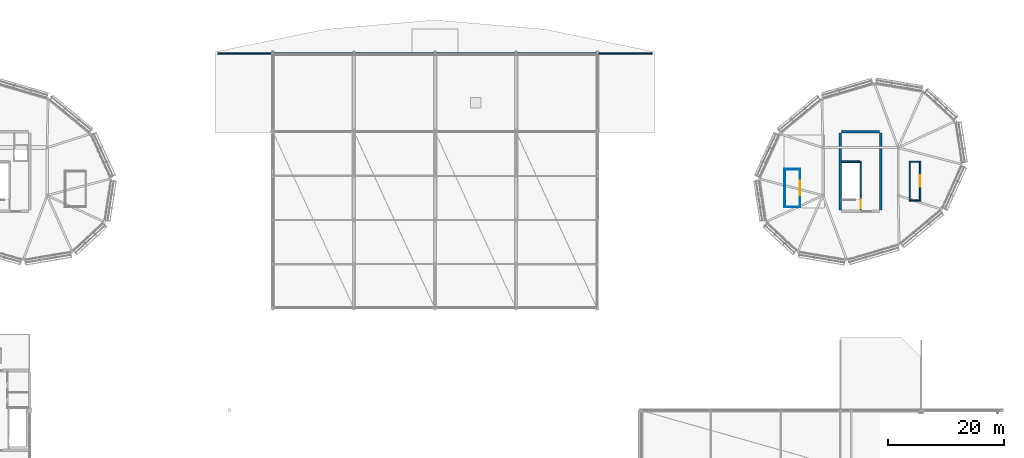
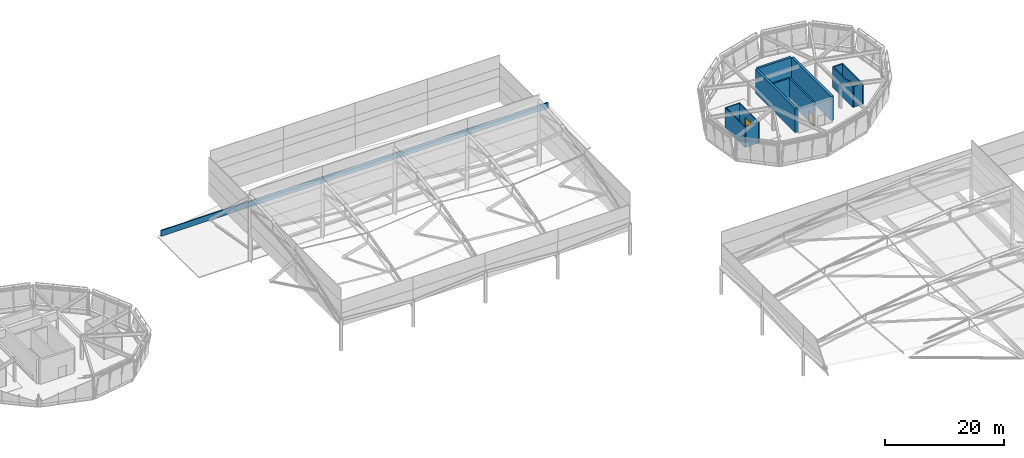
# One storey, part 105 of 113: 14 walls, 3 doors, 3 openings.
"""IFC4 building model written with IfcOpenShell, lengths in metres."""

from ifc_helpers import new_model, si_unit, direction, frame, frame_2d, origin, place, context, subcontext, project, spatial, rectangle, extrude, material, layer, layer_set, type_object, element, fill, save


model = new_model("IFC4")

# Units and contexts
model_context = context("Model", 3, precision=1e-05, world=origin(), true_north=direction((0.0, 1.0)))
body_context = subcontext(model_context, "Body", "Model", "MODEL_VIEW")
ifc_project = project(units=[si_unit("LENGTHUNIT", "METRE"), si_unit("AREAUNIT", "SQUARE_METRE"), si_unit("VOLUMEUNIT", "CUBIC_METRE"), si_unit("PLANEANGLEUNIT", "RADIAN"), si_unit("MASSUNIT", "GRAM", prefix="KILO")], contexts=[model_context])

# Site, building, storey
site_placement = place(None, origin())
site = spatial("IfcSite", under=ifc_project, at=site_placement, CompositionType="ELEMENT")
building_placement = place(site_placement, origin())
building = spatial("IfcBuilding", under=site, at=building_placement, Name="Linyun Crest Stadium", CompositionType="ELEMENT")
storey_placement = place(building_placement, frame((0.0, 0.0, 26.39990234375)))
storey = spatial("IfcBuildingStorey", under=building, at=storey_placement, Name="L06", CompositionType="ELEMENT", Elevation=26.39990234375)

# Walls
ifc_material_1 = material(Name="Concrete C50", Category="concrete")
ifc_layer_1 = layer(ifc_material_1, 0.449951171875)
ifc_layer_set_1 = layer_set([ifc_layer_1], Name="Concrete C50")
wall_type_1 = type_object("IfcWallType", Name="CW03", PredefinedType="SHEAR", material=ifc_layer_set_1)
for number, where, z_axis, x_axis, name in (
    (1, (70.0, 77.97509765625, 0.0), (0.0, 0.0, 1.0), (0.0, 1.0, 0.0), "Core shear wall CW03 CORE-PNE L06.1"),
    (2, (77.0, 77.97509765625, 0.0), (0.0, 0.0, 1.0), (0.0, 1.0, 0.0), "Core shear wall CW03 CORE-PNE L06.2"),
):
    element("IfcWall", number, at=place(storey_placement, frame(where, z_axis=z_axis, x_axis=x_axis)), inside=storey, type_object=wall_type_1, Name=name, PredefinedType="SHEAR", context=body_context, shape_type="SweptSolid", body=[
        extrude(rectangle(XDim=13.2998046875, YDim=0.449951171875, at=frame_2d((6.64990234375, 0.0))), origin(), (0.0, 0.0, 1.0), 4.945068359375),
    ])
wall_1_placement = place(storey_placement, frame((70.22509765625, 91.5, 0.0), z_axis=(0.0, 0.0, 1.0), x_axis=(1.0, 0.0, 0.0)))
element("IfcWall", 3, at=wall_1_placement, inside=storey, type_object=wall_type_1, Name="Core shear wall CW03 CORE-PNE L06.4", PredefinedType="SHEAR", context=body_context, shape_type="SweptSolid", body=[
    extrude(rectangle(XDim=6.5498046875, YDim=0.449951171875, at=frame_2d((3.27490234375, 0.0))), origin(), (0.0, 0.0, 1.0), 4.945068359375),
])
ifc_material_2 = material(Name="Precast concrete C40 coping panel", Category="concrete")
ifc_layer_2 = layer(ifc_material_2, 0.22509765625)
ifc_layer_set_2 = layer_set([ifc_layer_2], Name="Precast concrete C40 coping panel")
wall_type_2 = type_object("IfcWallType", Name="PW03", PredefinedType="PARAPET", material=ifc_layer_set_2)
wall_2_placement = place(storey_placement, frame((-37.5, 105.0, 0.0), z_axis=(0.0, 0.0, 1.0), x_axis=(1.0, 0.0, 0.0)))
element("IfcWall", 4, at=wall_2_placement, inside=storey, type_object=wall_type_2, Name="Parapet PW03 L06 76", PredefinedType="PARAPET", context=body_context, shape_type="SweptSolid", body=[
    extrude(rectangle(XDim=75.0, YDim=0.22509765625, at=frame_2d((37.5, 0.0))), origin(), (0.0, 0.0, 1.0), 1.2001953125),
])

# Wall, opening, door
ifc_material_3 = material(Name="Steel-stud gypsum corridor fire partition", Category="steel")
ifc_layer_3 = layer(ifc_material_3, 0.14990234375)
ifc_layer_set_3 = layer_set([ifc_layer_3], Name="Steel-stud gypsum corridor fire partition")
wall_type_3 = type_object("IfcWallType", Name="PW14", PredefinedType="PARTITIONING", material=ifc_layer_set_3)
wall_3_placement = place(storey_placement, frame((63.049072265625, 85.06494140625, 0.0), z_axis=(0.0, 0.0, 1.0), x_axis=(0.0, -1.0, 0.0)))
wall_3 = element("IfcWall", 5, at=wall_3_placement, inside=storey, type_object=wall_type_3, Name="Partition PW14 L06 246", PredefinedType="PARTITIONING", context=body_context, shape_type="SweptSolid", body=[
    extrude(rectangle(XDim=6.6298828125, YDim=0.14990234375, at=frame_2d((3.31494140625, 0.0))), origin(), (0.0, 0.0, 1.0), 4.22021484375),
])
opening_1_placement = place(wall_3_placement, frame((2.06494140625, 0.0, 0.0)))
opening_1 = element("IfcOpeningElement", 6, at=opening_1_placement, cuts=wall_3, Name="Opening D-L06-509", PredefinedType="OPENING", context=body_context, shape_type="SweptSolid", body=[
    extrude(rectangle(XDim=2.5, YDim=2.5, at=frame_2d((1.25, 1.25))), frame((0.0, 0.0849609375, 0.0), z_axis=(0.0, -1.0, 0.0), x_axis=(1.0, 0.0, 0.0)), (0.0, 0.0, 1.0), 0.169921875),
])
ifc_material_4 = material(Name="Verdigris framed glazed concourse door")
ifc_layer_4 = layer(ifc_material_4, 0.054931640625)
ifc_layer_set_4 = layer_set([ifc_layer_4], Name="Verdigris framed glazed concourse door")
door_type_1 = type_object("IfcDoorType", Name="ID16", OperationType="NOTDEFINED", PredefinedType="DOOR", material=ifc_layer_set_4)
door_1_placement = place(opening_1_placement, origin())
door_1 = element("IfcDoor", 7, at=door_1_placement, inside=storey, type_object=door_type_1, Name="Door D-L06-509", OperationType="DOUBLE_DOOR_SINGLE_SWING", OverallHeight=2.5, OverallWidth=2.5, PredefinedType="DOOR", context=body_context, shape_type="SweptSolid", body=[
    extrude(rectangle(XDim=2.5, YDim=2.5, at=frame_2d((1.25, 1.25))), frame((0.0, 0.02490234375, 0.0), z_axis=(0.0, -1.0, 0.0), x_axis=(1.0, 0.0, 0.0)), (0.0, 0.0, 1.0), 0.050048828125),
])
fill(opening_1, door_1)

# Walls
wall_4_placement = place(storey_placement, frame((60.408935546875, 78.43505859375, 0.0), z_axis=(0.0, 0.0, 1.0), x_axis=(0.0, 1.0, 0.0)))
element("IfcWall", 8, at=wall_4_placement, inside=storey, type_object=wall_type_3, Name="Enclosure partition PW14 L06 454", PredefinedType="PARTITIONING", context=body_context, shape_type="SweptSolid", body=[
    extrude(rectangle(XDim=6.6298828125, YDim=0.14990234375, at=frame_2d((3.31494140625, 0.0))), origin(), (0.0, 0.0, 1.0), 4.22021484375),
])
for number, where, z_axis, x_axis, name in (
    (9, (60.48388671875, 78.510009765625, 0.0), (0.0, 0.0, 1.0), (1.0, 0.0, 0.0), "Enclosure partition PW14 L06 455"),
    (10, (60.48388671875, 84.989990234375, 0.0), (0.0, 0.0, 1.0), (1.0, 0.0, 0.0), "Enclosure partition PW14 L06 456"),
):
    element("IfcWall", number, at=place(storey_placement, frame(where, z_axis=z_axis, x_axis=x_axis)), inside=storey, type_object=wall_type_3, Name=name, PredefinedType="PARTITIONING", context=body_context, shape_type="SweptSolid", body=[
        extrude(rectangle(XDim=2.490234375, YDim=0.14990234375, at=frame_2d((1.2451171875, 0.0))), origin(), (0.0, 0.0, 1.0), 4.22021484375),
    ])

# Wall, opening, door
ifc_material_5 = material(Name="Acoustic broadcast studio double-leaf partition")
ifc_layer_5 = layer(ifc_material_5, 0.219970703125)
ifc_layer_set_5 = layer_set([ifc_layer_5], Name="Acoustic broadcast studio double-leaf partition")
wall_type_4 = type_object("IfcWallType", Name="PW16", PredefinedType="PARTITIONING", material=ifc_layer_set_5)
wall_5_placement = place(storey_placement, frame((83.7939453125, 86.428955078125, 0.0), z_axis=(0.0, 0.0, 1.0), x_axis=(0.0, -1.0, 0.0)))
wall_5 = element("IfcWall", 11, at=wall_5_placement, inside=storey, type_object=wall_type_4, Name="Partition PW16 L06 247", PredefinedType="PARTITIONING", context=body_context, shape_type="SweptSolid", body=[
    extrude(rectangle(XDim=6.919921875, YDim=0.219970703125, at=frame_2d((3.4599609375, 0.0))), origin(), (0.0, 0.0, 1.0), 4.22021484375),
])
opening_2_placement = place(wall_5_placement, frame((2.485107421875, 0.0, 0.0)))
opening_2 = element("IfcOpeningElement", 12, at=opening_2_placement, cuts=wall_5, Name="Opening D-L06-510", PredefinedType="OPENING", context=body_context, shape_type="SweptSolid", body=[
    extrude(rectangle(XDim=1.949951171875, YDim=2.35009765625, at=frame_2d((0.97509765625, 1.175048828125))), frame((0.0, 0.119873046875, 0.0), z_axis=(0.0, -1.0, 0.0), x_axis=(1.0, 0.0, 0.0)), (0.0, 0.0, 1.0), 0.239990234375),
])
ifc_material_6 = material(Name="Arched glazed cafe double door")
ifc_layer_6 = layer(ifc_material_6, 0.054931640625)
ifc_layer_set_6 = layer_set([ifc_layer_6], Name="Arched glazed cafe double door")
door_type_2 = type_object("IfcDoorType", Name="ID17", OperationType="NOTDEFINED", PredefinedType="DOOR", material=ifc_layer_set_6)
door_2_placement = place(opening_2_placement, origin())
door_2 = element("IfcDoor", 13, at=door_2_placement, inside=storey, type_object=door_type_2, Name="Door D-L06-510", OperationType="DOUBLE_DOOR_SINGLE_SWING", OverallHeight=2.35009765625, OverallWidth=1.949951171875, PredefinedType="DOOR", context=body_context, shape_type="SweptSolid", body=[
    extrude(rectangle(XDim=1.949951171875, YDim=2.35009765625, at=frame_2d((0.97509765625, 1.175048828125))), frame((0.0, 0.02490234375, 0.0), z_axis=(0.0, -1.0, 0.0), x_axis=(1.0, 0.0, 0.0)), (0.0, 0.0, 1.0), 0.050048828125),
])
fill(opening_2, door_2)

# Walls
wall_6_placement = place(storey_placement, frame((81.993896484375, 79.509033203125, 0.0), z_axis=(0.0, 0.0, 1.0), x_axis=(0.0, 1.0, 0.0)))
element("IfcWall", 14, at=wall_6_placement, inside=storey, type_object=wall_type_4, Name="Enclosure partition PW16 L06 457", PredefinedType="PARTITIONING", context=body_context, shape_type="SweptSolid", body=[
    extrude(rectangle(XDim=6.919921875, YDim=0.219970703125, at=frame_2d((3.4599609375, 0.0))), origin(), (0.0, 0.0, 1.0), 4.22021484375),
])
for number, where, z_axis, x_axis, name in (
    (15, (82.10400390625, 79.618896484375, 0.0), (0.0, 0.0, 1.0), (1.0, 0.0, 0.0), "Enclosure partition PW16 L06 458"),
    (16, (82.10400390625, 86.319091796875, 0.0), (0.0, 0.0, 1.0), (1.0, 0.0, 0.0), "Enclosure partition PW16 L06 459"),
):
    element("IfcWall", number, at=place(storey_placement, frame(where, z_axis=z_axis, x_axis=x_axis)), inside=storey, type_object=wall_type_4, Name=name, PredefinedType="PARTITIONING", context=body_context, shape_type="SweptSolid", body=[
        extrude(rectangle(XDim=1.580078125, YDim=0.219970703125, at=frame_2d((0.7900390625, 0.0))), origin(), (0.0, 0.0, 1.0), 4.22021484375),
    ])

# Wall, opening, door
ifc_material_7 = material(Name="Concrete C50", Category="concrete")
ifc_layer_7 = layer(ifc_material_7, 0.300048828125)
ifc_layer_set_7 = layer_set([ifc_layer_7], Name="Concrete C50")
wall_type_5 = type_object("IfcWallType", Name="SW01", PredefinedType="SHEAR", material=ifc_layer_set_7)
wall_7_placement = place(storey_placement, frame((73.550048828125, 77.97509765625, 0.0), z_axis=(0.0, 0.0, 1.0), x_axis=(0.0, 1.0, 0.0)))
wall_7 = element("IfcWall", 17, at=wall_7_placement, inside=storey, type_object=wall_type_5, Name="Core stair east bearing wall SW01 12 L06", PredefinedType="SHEAR", context=body_context, shape_type="SweptSolid", body=[
    extrude(rectangle(XDim=8.474853515625, YDim=0.300048828125, at=frame_2d((4.2373046875, 0.0))), origin(), (0.0, 0.0, 1.0), 4.945068359375),
])
opening_3_placement = place(wall_7_placement, frame((0.344970703125, 0.0, 0.0)))
opening_3 = element("IfcOpeningElement", 18, at=opening_3_placement, cuts=wall_7, Name="Opening D-L06-400", PredefinedType="OPENING", context=body_context, shape_type="SweptSolid", body=[
    extrude(rectangle(XDim=1.449951171875, YDim=2.199951171875, at=frame_2d((0.72509765625, 1.10009765625))), frame((0.0, 0.159912109375, 0.0), z_axis=(0.0, -1.0, 0.0), x_axis=(1.0, 0.0, 0.0)), (0.0, 0.0, 1.0), 0.320068359375),
])
ifc_material_8 = material(Name="Galvanized steel Class A fire door", Category="steel")
ifc_layer_8 = layer(ifc_material_8, 0.054931640625)
ifc_layer_set_8 = layer_set([ifc_layer_8], Name="Galvanized steel Class A fire door")
door_type_3 = type_object("IfcDoorType", Name="FD02", OperationType="NOTDEFINED", PredefinedType="DOOR", material=ifc_layer_set_8)
door_3_placement = place(opening_3_placement, origin())
door_3 = element("IfcDoor", 19, at=door_3_placement, inside=storey, type_object=door_type_3, Name="Door D-L06-400", OperationType="SINGLE_SWING_RIGHT", OverallHeight=2.199951171875, OverallWidth=1.449951171875, PredefinedType="DOOR", context=body_context, shape_type="SweptSolid", body=[
    extrude(rectangle(XDim=1.449951171875, YDim=2.199951171875, at=frame_2d((0.72509765625, 1.10009765625))), frame((0.0, 0.02490234375, 0.0), z_axis=(0.0, -1.0, 0.0), x_axis=(1.0, 0.0, 0.0)), (0.0, 0.0, 1.0), 0.050048828125),
])
fill(opening_3, door_3)

# Wall
wall_8_placement = place(storey_placement, frame((70.22509765625, 86.300048828125, 0.0), z_axis=(0.0, 0.0, 1.0), x_axis=(1.0, 0.0, 0.0)))
element("IfcWall", 20, at=wall_8_placement, inside=storey, type_object=wall_type_5, Name="Core stair bearing wall SW01 12 L06", PredefinedType="SHEAR", context=body_context, shape_type="SweptSolid", body=[
    extrude(rectangle(XDim=3.1748046875, YDim=0.300048828125, at=frame_2d((1.58740234375, 0.0))), origin(), (0.0, 0.0, 1.0), 4.945068359375),
])

save(model, "model.ifc")
